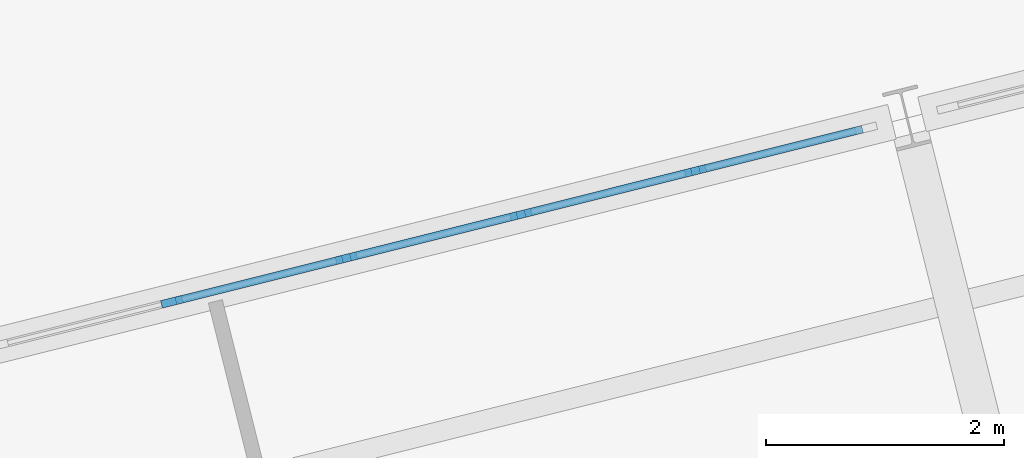
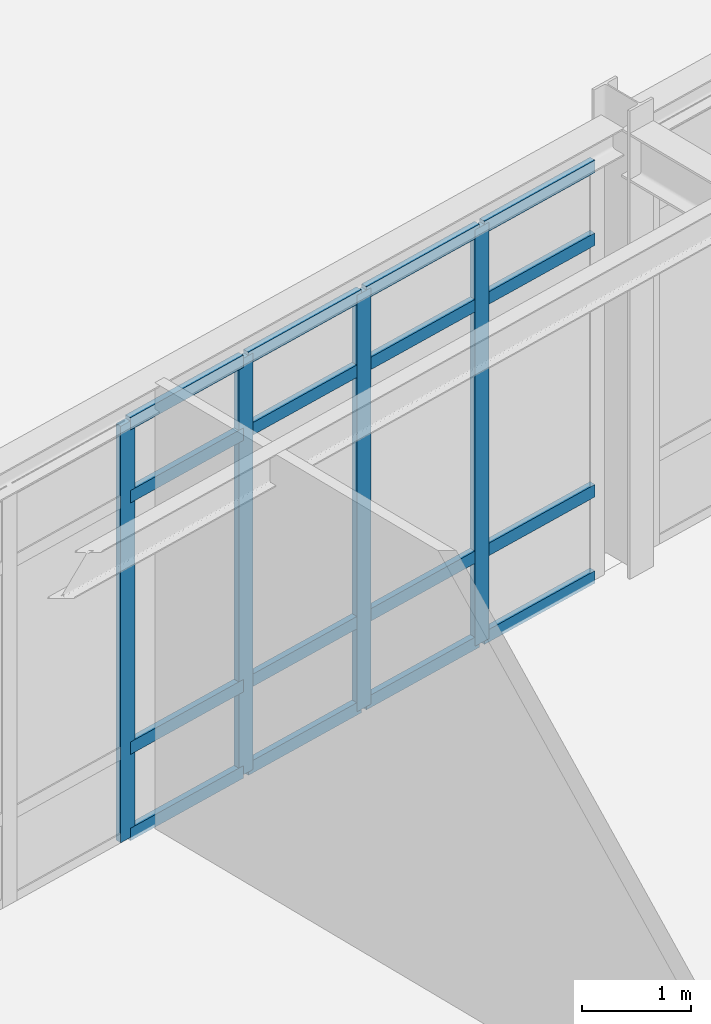
# One storey, part 42 of 109: 20 members, 1 element without a shape of its own.
"""IFC4 building model written with IfcOpenShell, lengths in metres."""

from ifc_helpers import new_model, si_unit, direction, frame, origin, origin_2d, place, context, subcontext, project, spatial, rectangle, extrude, material, layer, layer_set, material_profile, profile_set, type_object, element, aggregate, save


model = new_model("IFC4")

# Units and contexts
model_context = context("Model", 3, precision=1e-05, world=origin(), true_north=direction((0.0, 1.0)))
body_context = subcontext(model_context, "Body", "Model", "MODEL_VIEW")
ifc_project = project(units=[si_unit("LENGTHUNIT", "METRE"), si_unit("AREAUNIT", "SQUARE_METRE"), si_unit("VOLUMEUNIT", "CUBIC_METRE"), si_unit("PLANEANGLEUNIT", "RADIAN"), si_unit("MASSUNIT", "GRAM", prefix="KILO")], contexts=[model_context])

# Site, building, storey
site_placement = place(None, origin())
site = spatial("IfcSite", under=ifc_project, at=site_placement, CompositionType="ELEMENT")
building_placement = place(site_placement, origin())
building = spatial("IfcBuilding", under=site, at=building_placement, Name="Nordkorset Police Headquarters", CompositionType="ELEMENT")
storey_placement = place(building_placement, origin())
storey = spatial("IfcBuildingStorey", under=building, at=storey_placement, Name="L00", CompositionType="ELEMENT", Elevation=0.0)

# Curtain wall, members
ifc_material_1 = material(Name="Aluminium alloy AW-6060", Category="aluminium")
ifc_layer = layer(ifc_material_1, 0.179931640625, Name="Aluminium alloy AW-6060")
ifc_layer_set = layer_set([ifc_layer], Name="Aluminium alloy AW-6060")
curtain_wall_type = type_object("IfcCurtainWallType", Name="CW_Unit_1056x467", PredefinedType="USERDEFINED", material=ifc_layer_set)
curtain_wall_placement = place(storey_placement, origin())
curtain_wall = element("IfcCurtainWall", 1, at=curtain_wall_placement, inside=storey, type_object=curtain_wall_type, Name="Unitised Curtain Wall L00 V4N-3", ObjectType="UNITISED CURTAIN WALL", PredefinedType="USERDEFINED")
ifc_material_2 = material(Name="Aluminium alloy AW-6060", Category="aluminium")
ifc_material_profile_1 = material_profile(ifc_material_2, rectangle(XDim=0.06494140625, YDim=0.179931640625, at=origin_2d()), Name="ALU MULL 65x180")
ifc_profile_set_1 = profile_set([ifc_material_profile_1], Name="Aluminium alloy AW-6060")
member_type_1 = type_object("IfcMemberType", Name="CW_Mullion_65x180", PredefinedType="MULLION", material=ifc_profile_set_1)
member_1_placement = place(storey_placement, frame((52.74853515625, 64.13037109375, 0.0), z_axis=(0.0, 0.0, 1.0), x_axis=(-0.242536070676, 0.970142388735, 0.0)))
member_1 = element("IfcMember", 2, at=member_1_placement, type_object=member_type_1, Name="CW-18 mullion 4", PredefinedType="MULLION", context=body_context, shape_type="SweptSolid", body=[
    extrude(rectangle(XDim=0.06494140625, YDim=0.179931640625, at=origin_2d()), origin(), (0.0, 0.0, 1.0), 4.669921875),
])
member_2_placement = place(storey_placement, frame((54.212158203125, 64.496337890625, 0.0), z_axis=(0.0, 0.0, 1.0), x_axis=(-0.242536070676, 0.970142388735, 0.0)))
member_2 = element("IfcMember", 3, at=member_2_placement, type_object=member_type_1, Name="CW-18 mullion 5", PredefinedType="MULLION", context=body_context, shape_type="SweptSolid", body=[
    extrude(rectangle(XDim=0.06494140625, YDim=0.179931640625, at=origin_2d()), origin(), (0.0, 0.0, 1.0), 4.669921875),
])
member_3_placement = place(storey_placement, frame((55.67578125, 64.862060546875, 0.0), z_axis=(0.0, 0.0, 1.0), x_axis=(-0.242536070676, 0.970142388735, 0.0)))
member_3 = element("IfcMember", 4, at=member_3_placement, type_object=member_type_1, Name="CW-18 mullion 6", PredefinedType="MULLION", context=body_context, shape_type="SweptSolid", body=[
    extrude(rectangle(XDim=0.06494140625, YDim=0.179931640625, at=origin_2d()), origin(), (0.0, 0.0, 1.0), 4.669921875),
])
member_4_placement = place(storey_placement, frame((57.13916015625, 65.22802734375, 0.0), z_axis=(0.0, 0.0, 1.0), x_axis=(-0.242536070676, 0.970142388735, 0.0)))
member_4 = element("IfcMember", 5, at=member_4_placement, type_object=member_type_1, Name="CW-18 mullion 7", PredefinedType="MULLION", context=body_context, shape_type="SweptSolid", body=[
    extrude(rectangle(XDim=0.06494140625, YDim=0.179931640625, at=origin_2d()), origin(), (0.0, 0.0, 1.0), 4.669921875),
])
ifc_material_3 = material(Name="Aluminium alloy AW-6060", Category="aluminium")
ifc_material_profile_2 = material_profile(ifc_material_3, rectangle(XDim=0.06494140625, YDim=0.139892578125, at=origin_2d()), Name="ALU TRAN 65x140")
ifc_profile_set_2 = profile_set([ifc_material_profile_2], Name="Aluminium alloy AW-6060")
member_type_2 = type_object("IfcMemberType", Name="CW_Transom_65x140", PredefinedType="USERDEFINED", material=ifc_profile_set_2)
member_5_placement = place(storey_placement, frame((52.7802734375, 64.13818359375, 0.032470703125), z_axis=(0.970142500145, 0.242535625036, 0.0), x_axis=(-0.242535625036, 0.970142500145, 0.0)))
member_5 = element("IfcMember", 6, at=member_5_placement, type_object=member_type_2, Name="CW-18 transom 4.1", ObjectType="TRANSOM", PredefinedType="USERDEFINED", context=body_context, shape_type="SweptSolid", body=[
    extrude(rectangle(XDim=0.06494140625, YDim=0.139892578125, at=origin_2d()), origin(), (0.0, 0.0, 1.0), 1.443603515625),
])
member_6_placement = place(storey_placement, frame((52.7802734375, 64.13818359375, 1.0), z_axis=(0.970142500145, 0.242535625036, 0.0), x_axis=(-0.242535625036, 0.970142500145, 0.0)))
member_6 = element("IfcMember", 7, at=member_6_placement, type_object=member_type_2, Name="CW-18 transom 4.2", ObjectType="TRANSOM", PredefinedType="USERDEFINED", context=body_context, shape_type="SweptSolid", body=[
    extrude(rectangle(XDim=0.06494140625, YDim=0.139892578125, at=origin_2d()), origin(), (0.0, 0.0, 1.0), 1.443603515625),
])
member_7_placement = place(storey_placement, frame((52.7802734375, 64.13818359375, 3.820068359375), z_axis=(0.970142500145, 0.242535625036, 0.0), x_axis=(-0.242535625036, 0.970142500145, 0.0)))
member_7 = element("IfcMember", 8, at=member_7_placement, type_object=member_type_2, Name="CW-18 transom 4.3", ObjectType="TRANSOM", PredefinedType="USERDEFINED", context=body_context, shape_type="SweptSolid", body=[
    extrude(rectangle(XDim=0.06494140625, YDim=0.139892578125, at=origin_2d()), origin(), (0.0, 0.0, 1.0), 1.443603515625),
])
member_8_placement = place(storey_placement, frame((52.7802734375, 64.13818359375, 4.637451171875), z_axis=(0.970142500145, 0.242535625036, 0.0), x_axis=(-0.242535625036, 0.970142500145, 0.0)))
member_8 = element("IfcMember", 9, at=member_8_placement, type_object=member_type_2, Name="CW-18 transom 4.4", ObjectType="TRANSOM", PredefinedType="USERDEFINED", context=body_context, shape_type="SweptSolid", body=[
    extrude(rectangle(XDim=0.06494140625, YDim=0.139892578125, at=origin_2d()), origin(), (0.0, 0.0, 1.0), 1.443603515625),
])
member_9_placement = place(storey_placement, frame((54.24365234375, 64.504150390625, 0.032470703125), z_axis=(0.970142500145, 0.242535625036, 0.0), x_axis=(-0.242535625036, 0.970142500145, 0.0)))
member_9 = element("IfcMember", 10, at=member_9_placement, type_object=member_type_2, Name="CW-18 transom 5.1", ObjectType="TRANSOM", PredefinedType="USERDEFINED", context=body_context, shape_type="SweptSolid", body=[
    extrude(rectangle(XDim=0.06494140625, YDim=0.139892578125, at=origin_2d()), origin(), (0.0, 0.0, 1.0), 1.443603515625),
])
member_10_placement = place(storey_placement, frame((54.24365234375, 64.504150390625, 1.0), z_axis=(0.970142500145, 0.242535625036, 0.0), x_axis=(-0.242535625036, 0.970142500145, 0.0)))
member_10 = element("IfcMember", 11, at=member_10_placement, type_object=member_type_2, Name="CW-18 transom 5.2", ObjectType="TRANSOM", PredefinedType="USERDEFINED", context=body_context, shape_type="SweptSolid", body=[
    extrude(rectangle(XDim=0.06494140625, YDim=0.139892578125, at=origin_2d()), origin(), (0.0, 0.0, 1.0), 1.443603515625),
])
member_11_placement = place(storey_placement, frame((54.24365234375, 64.504150390625, 3.820068359375), z_axis=(0.970142500145, 0.242535625036, 0.0), x_axis=(-0.242535625036, 0.970142500145, 0.0)))
member_11 = element("IfcMember", 12, at=member_11_placement, type_object=member_type_2, Name="CW-18 transom 5.3", ObjectType="TRANSOM", PredefinedType="USERDEFINED", context=body_context, shape_type="SweptSolid", body=[
    extrude(rectangle(XDim=0.06494140625, YDim=0.139892578125, at=origin_2d()), origin(), (0.0, 0.0, 1.0), 1.443603515625),
])
member_12_placement = place(storey_placement, frame((54.24365234375, 64.504150390625, 4.637451171875), z_axis=(0.970142500145, 0.242535625036, 0.0), x_axis=(-0.242535625036, 0.970142500145, 0.0)))
member_12 = element("IfcMember", 13, at=member_12_placement, type_object=member_type_2, Name="CW-18 transom 5.4", ObjectType="TRANSOM", PredefinedType="USERDEFINED", context=body_context, shape_type="SweptSolid", body=[
    extrude(rectangle(XDim=0.06494140625, YDim=0.139892578125, at=origin_2d()), origin(), (0.0, 0.0, 1.0), 1.443603515625),
])
member_13_placement = place(storey_placement, frame((55.707275390625, 64.869873046875, 0.032470703125), z_axis=(0.9701026929, 0.24269479852, 0.0), x_axis=(-0.24269479852, 0.9701026929, 0.0)))
member_13 = element("IfcMember", 14, at=member_13_placement, type_object=member_type_2, Name="CW-18 transom 6.1", ObjectType="TRANSOM", PredefinedType="USERDEFINED", context=body_context, shape_type="SweptSolid", body=[
    extrude(rectangle(XDim=0.06494140625, YDim=0.139892578125, at=origin_2d()), origin(), (0.0, 0.0, 1.0), 1.443603515625),
])
member_14_placement = place(storey_placement, frame((55.707275390625, 64.869873046875, 1.0), z_axis=(0.9701026929, 0.24269479852, 0.0), x_axis=(-0.24269479852, 0.9701026929, 0.0)))
member_14 = element("IfcMember", 15, at=member_14_placement, type_object=member_type_2, Name="CW-18 transom 6.2", ObjectType="TRANSOM", PredefinedType="USERDEFINED", context=body_context, shape_type="SweptSolid", body=[
    extrude(rectangle(XDim=0.06494140625, YDim=0.139892578125, at=origin_2d()), origin(), (0.0, 0.0, 1.0), 1.443603515625),
])
member_15_placement = place(storey_placement, frame((55.707275390625, 64.869873046875, 3.820068359375), z_axis=(0.9701026929, 0.24269479852, 0.0), x_axis=(-0.24269479852, 0.9701026929, 0.0)))
member_15 = element("IfcMember", 16, at=member_15_placement, type_object=member_type_2, Name="CW-18 transom 6.3", ObjectType="TRANSOM", PredefinedType="USERDEFINED", context=body_context, shape_type="SweptSolid", body=[
    extrude(rectangle(XDim=0.06494140625, YDim=0.139892578125, at=origin_2d()), origin(), (0.0, 0.0, 1.0), 1.443603515625),
])
member_16_placement = place(storey_placement, frame((55.707275390625, 64.869873046875, 4.637451171875), z_axis=(0.9701026929, 0.24269479852, 0.0), x_axis=(-0.24269479852, 0.9701026929, 0.0)))
member_16 = element("IfcMember", 17, at=member_16_placement, type_object=member_type_2, Name="CW-18 transom 6.4", ObjectType="TRANSOM", PredefinedType="USERDEFINED", context=body_context, shape_type="SweptSolid", body=[
    extrude(rectangle(XDim=0.06494140625, YDim=0.139892578125, at=origin_2d()), origin(), (0.0, 0.0, 1.0), 1.443603515625),
])
member_17_placement = place(storey_placement, frame((57.170654296875, 65.23583984375, 0.032470703125), z_axis=(0.970142500145, 0.242535625036, 0.0), x_axis=(-0.242535625036, 0.970142500145, 0.0)))
member_17 = element("IfcMember", 18, at=member_17_placement, type_object=member_type_2, Name="CW-18 transom 7.1", ObjectType="TRANSOM", PredefinedType="USERDEFINED", context=body_context, shape_type="SweptSolid", body=[
    extrude(rectangle(XDim=0.06494140625, YDim=0.139892578125, at=origin_2d()), origin(), (0.0, 0.0, 1.0), 1.411376953125),
])
member_18_placement = place(storey_placement, frame((57.170654296875, 65.23583984375, 1.0), z_axis=(0.970142500145, 0.242535625036, 0.0), x_axis=(-0.242535625036, 0.970142500145, 0.0)))
member_18 = element("IfcMember", 19, at=member_18_placement, type_object=member_type_2, Name="CW-18 transom 7.2", ObjectType="TRANSOM", PredefinedType="USERDEFINED", context=body_context, shape_type="SweptSolid", body=[
    extrude(rectangle(XDim=0.06494140625, YDim=0.139892578125, at=origin_2d()), origin(), (0.0, 0.0, 1.0), 1.411376953125),
])
member_19_placement = place(storey_placement, frame((57.170654296875, 65.23583984375, 3.820068359375), z_axis=(0.970142500145, 0.242535625036, 0.0), x_axis=(-0.242535625036, 0.970142500145, 0.0)))
member_19 = element("IfcMember", 20, at=member_19_placement, type_object=member_type_2, Name="CW-18 transom 7.3", ObjectType="TRANSOM", PredefinedType="USERDEFINED", context=body_context, shape_type="SweptSolid", body=[
    extrude(rectangle(XDim=0.06494140625, YDim=0.139892578125, at=origin_2d()), origin(), (0.0, 0.0, 1.0), 1.411376953125),
])
member_20_placement = place(storey_placement, frame((57.170654296875, 65.23583984375, 4.637451171875), z_axis=(0.970142500145, 0.242535625036, 0.0), x_axis=(-0.242535625036, 0.970142500145, 0.0)))
member_20 = element("IfcMember", 21, at=member_20_placement, type_object=member_type_2, Name="CW-18 transom 7.4", ObjectType="TRANSOM", PredefinedType="USERDEFINED", context=body_context, shape_type="SweptSolid", body=[
    extrude(rectangle(XDim=0.06494140625, YDim=0.139892578125, at=origin_2d()), origin(), (0.0, 0.0, 1.0), 1.411376953125),
])
aggregate(curtain_wall, [member_1, member_2, member_3, member_4, member_5, member_6, member_7, member_8, member_9, member_10, member_11, member_12, member_13, member_14, member_15, member_16, member_17, member_18, member_19, member_20])

save(model, "model.ifc")
